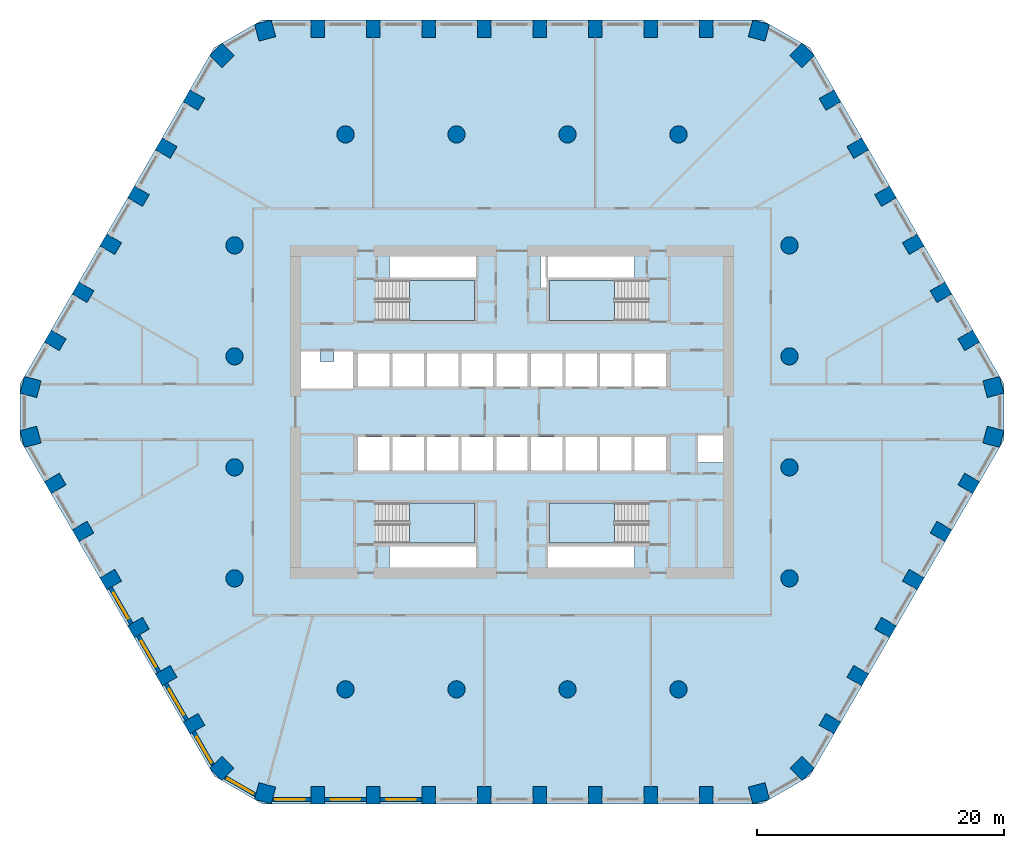
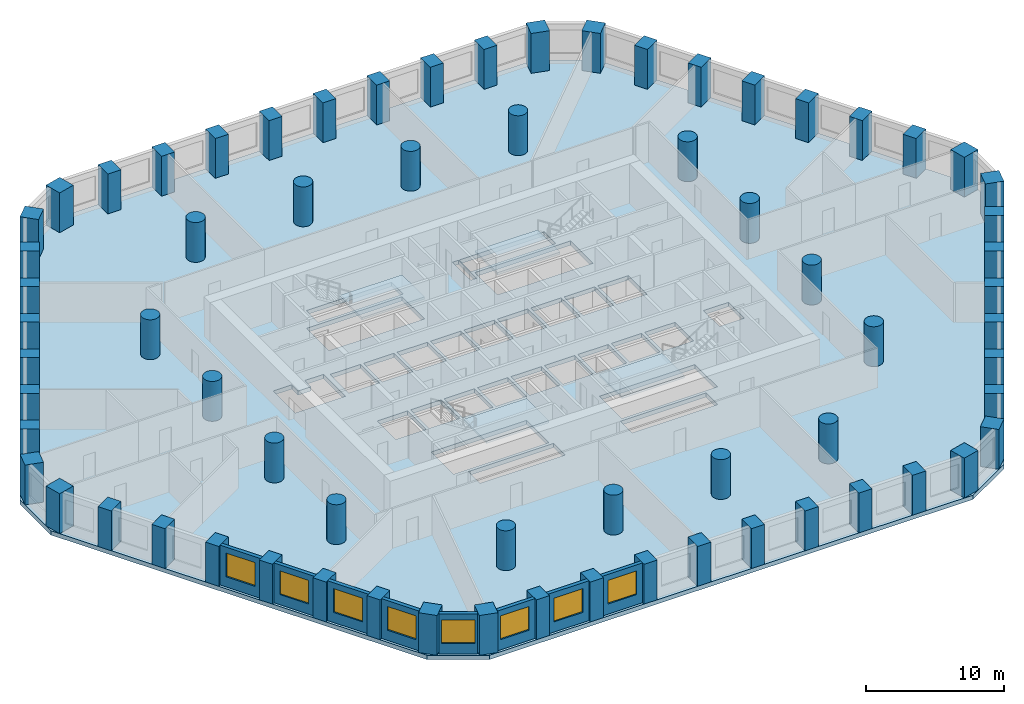
# One storey, part 1 of 10: 68 columns, 8 walls, 8 windows, 5 slabs, 8 openings, 4 elements without a shape of their own.
"""IFC4 building model written with IfcOpenShell, lengths in metres."""

from ifc_helpers import new_model, si_unit, direction, frame, frame_2d, origin, origin_2d, place, context, subcontext, project, spatial, polyline, rectangle, circle, outline, extrude, material, layer, layer_set, material_profile, profile_set, type_object, element, fill, aggregate, save


model = new_model("IFC4")

# Units and contexts
model_context = context("Model", 3, precision=1e-05, world=origin(), true_north=direction((0.0, 1.0)))
body_context = subcontext(model_context, "Body", "Model", "MODEL_VIEW")
ifc_project = project(units=[si_unit("LENGTHUNIT", "METRE"), si_unit("AREAUNIT", "SQUARE_METRE"), si_unit("VOLUMEUNIT", "CUBIC_METRE"), si_unit("PLANEANGLEUNIT", "RADIAN"), si_unit("MASSUNIT", "GRAM", prefix="KILO")], contexts=[model_context])

# Site, building, storey
site_placement = place(None, origin())
site = spatial("IfcSite", under=ifc_project, at=site_placement, CompositionType="ELEMENT")
building_placement = place(site_placement, origin())
building = spatial("IfcBuilding", under=site, at=building_placement, Name="Dhurran Vertical Campus", CompositionType="ELEMENT")
storey_placement = place(building_placement, frame((0.0, 0.0, 37.800048828125)))
storey = spatial("IfcBuildingStorey", under=building, at=storey_placement, Name="L08", CompositionType="ELEMENT", Elevation=37.800048828125)

# Columns
ifc_material_1 = material(Name="Concrete C70/85", Category="concrete")
ifc_material_profile_1 = material_profile(ifc_material_1, rectangle(XDim=1.10009765625, YDim=1.39990234375, at=origin_2d()), Name="RC 1100x1400")
ifc_profile_set_1 = profile_set([ifc_material_profile_1], Name="Concrete C70/85")
column_type_1 = type_object("IfcColumnType", Name="FR COL RC 1100x1400 C70/85", PredefinedType="COLUMN", material=ifc_profile_set_1)
for number, where, z_axis, x_axis, name in (
    (1, (-15.75, -31.079833984375, 0.0), (0.0, 0.0, 1.0), (1.0, 0.0, 0.0), "Perimeter pier PP1.01"),
    (2, (-11.25, -31.079833984375, 0.0), (0.0, 0.0, 1.0), (1.0, 0.0, 0.0), "Perimeter pier PP1.02"),
    (3, (-6.75, -31.079833984375, 0.0), (0.0, 0.0, 1.0), (1.0, 0.0, 0.0), "Perimeter pier PP1.03"),
    (4, (-2.25, -31.079833984375, 0.0), (0.0, 0.0, 1.0), (1.0, 0.0, 0.0), "Perimeter pier PP1.04"),
    (5, (2.25, -31.079833984375, 0.0), (0.0, 0.0, 1.0), (1.0, 0.0, 0.0), "Perimeter pier PP1.05"),
    (6, (6.75, -31.079833984375, 0.0), (0.0, 0.0, 1.0), (1.0, 0.0, 0.0), "Perimeter pier PP1.06"),
    (7, (11.25, -31.079833984375, 0.0), (0.0, 0.0, 1.0), (1.0, 0.0, 0.0), "Perimeter pier PP1.07"),
    (8, (15.75, -31.079833984375, 0.0), (0.0, 0.0, 1.0), (1.0, 0.0, 0.0), "Perimeter pier PP1.08"),
    (9, (25.791015625, -25.28271484375, 0.0), (0.0, 0.0, 1.0), (0.5, 0.866025403784, 0.0), "Perimeter pier PP1.11"),
    (10, (28.041015625, -21.385498046875, 0.0), (0.0, 0.0, 1.0), (0.5, 0.866025403784, 0.0), "Perimeter pier PP1.12"),
    (11, (30.291015625, -17.488525390625, 0.0), (0.0, 0.0, 1.0), (0.5, 0.866025403784, 0.0), "Perimeter pier PP1.13"),
    (12, (32.541015625, -13.59130859375, 0.0), (0.0, 0.0, 1.0), (0.5, 0.866025403784, 0.0), "Perimeter pier PP1.14"),
    (13, (34.791015625, -9.694091796875, 0.0), (0.0, 0.0, 1.0), (0.5, 0.866025403784, 0.0), "Perimeter pier PP1.15"),
    (14, (37.041015625, -5.797119140625, 0.0), (0.0, 0.0, 1.0), (0.5, 0.866025403784, 0.0), "Perimeter pier PP1.16"),
    (15, (37.041015625, 5.797119140625, 0.0), (0.0, 0.0, 1.0), (-0.5, 0.866025403784, 0.0), "Perimeter pier PP1.19"),
    (16, (34.791015625, 9.694091796875, 0.0), (0.0, 0.0, 1.0), (-0.5, 0.866025403784, 0.0), "Perimeter pier PP1.20"),
    (17, (32.541015625, 13.59130859375, 0.0), (0.0, 0.0, 1.0), (-0.5, 0.866025403784, 0.0), "Perimeter pier PP1.21"),
    (18, (30.291015625, 17.488525390625, 0.0), (0.0, 0.0, 1.0), (-0.5, 0.866025403784, 0.0), "Perimeter pier PP1.22"),
    (19, (28.041015625, 21.385498046875, 0.0), (0.0, 0.0, 1.0), (-0.5, 0.866025403784, 0.0), "Perimeter pier PP1.23"),
    (20, (25.791015625, 25.28271484375, 0.0), (0.0, 0.0, 1.0), (-0.5, 0.866025403784, 0.0), "Perimeter pier PP1.24"),
    (21, (15.75, 31.079833984375, 0.0), (0.0, 0.0, 1.0), (-1.0, 0.0, 0.0), "Perimeter pier PP1.27"),
    (22, (11.25, 31.079833984375, 0.0), (0.0, 0.0, 1.0), (-1.0, 0.0, 0.0), "Perimeter pier PP1.28"),
    (23, (6.75, 31.079833984375, 0.0), (0.0, 0.0, 1.0), (-1.0, 0.0, 0.0), "Perimeter pier PP1.29"),
    (24, (2.25, 31.079833984375, 0.0), (0.0, 0.0, 1.0), (-1.0, 0.0, 0.0), "Perimeter pier PP1.30"),
    (25, (-2.25, 31.079833984375, 0.0), (0.0, 0.0, 1.0), (-1.0, 0.0, 0.0), "Perimeter pier PP1.31"),
    (26, (-6.75, 31.079833984375, 0.0), (0.0, 0.0, 1.0), (-1.0, 0.0, 0.0), "Perimeter pier PP1.32"),
    (27, (-11.25, 31.079833984375, 0.0), (0.0, 0.0, 1.0), (-1.0, 0.0, 0.0), "Perimeter pier PP1.33"),
    (28, (-15.75, 31.079833984375, 0.0), (0.0, 0.0, 1.0), (-1.0, 0.0, 0.0), "Perimeter pier PP1.34"),
    (29, (-25.791015625, 25.28271484375, 0.0), (0.0, 0.0, 1.0), (-0.5, -0.866025403784, 0.0), "Perimeter pier PP1.37"),
    (30, (-28.041015625, 21.385498046875, 0.0), (0.0, 0.0, 1.0), (-0.5, -0.866025403784, 0.0), "Perimeter pier PP1.38"),
    (31, (-30.291015625, 17.488525390625, 0.0), (0.0, 0.0, 1.0), (-0.5, -0.866025403784, 0.0), "Perimeter pier PP1.39"),
    (32, (-32.541015625, 13.59130859375, 0.0), (0.0, 0.0, 1.0), (-0.5, -0.866025403784, 0.0), "Perimeter pier PP1.40"),
    (33, (-34.791015625, 9.694091796875, 0.0), (0.0, 0.0, 1.0), (-0.5, -0.866025403784, 0.0), "Perimeter pier PP1.41"),
    (34, (-37.041015625, 5.797119140625, 0.0), (0.0, 0.0, 1.0), (-0.5, -0.866025403784, 0.0), "Perimeter pier PP1.42"),
    (35, (-37.041015625, -5.797119140625, 0.0), (0.0, 0.0, 1.0), (0.5, -0.866025403784, 0.0), "Perimeter pier PP1.45"),
    (36, (-34.791015625, -9.694091796875, 0.0), (0.0, 0.0, 1.0), (0.5, -0.866025403784, 0.0), "Perimeter pier PP1.46"),
    (37, (-32.541015625, -13.59130859375, 0.0), (0.0, 0.0, 1.0), (0.5, -0.866025403784, 0.0), "Perimeter pier PP1.47"),
    (38, (-30.291015625, -17.488525390625, 0.0), (0.0, 0.0, 1.0), (0.5, -0.866025403784, 0.0), "Perimeter pier PP1.48"),
    (39, (-28.041015625, -21.385498046875, 0.0), (0.0, 0.0, 1.0), (0.5, -0.866025403784, 0.0), "Perimeter pier PP1.49"),
    (40, (-25.791015625, -25.28271484375, 0.0), (0.0, 0.0, 1.0), (0.5, -0.866025403784, 0.0), "Perimeter pier PP1.50"),
):
    element("IfcColumn", number, at=place(storey_placement, frame(where, z_axis=z_axis, x_axis=x_axis)), inside=storey, type_object=column_type_1, Name=name, PredefinedType="COLUMN", context=body_context, shape_type="SweptSolid", body=[
        extrude(rectangle(XDim=1.10009765625, YDim=1.39990234375, at=origin_2d()), origin(), (0.0, 0.0, 1.0), 3.52490234375),
    ])
ifc_material_2 = material(Name="Concrete C70/85", Category="concrete")
ifc_material_profile_2 = material_profile(ifc_material_2, rectangle(XDim=1.39990234375, YDim=1.39990234375, at=origin_2d()), Name="RC 1400x1400")
ifc_profile_set_2 = profile_set([ifc_material_profile_2], Name="Concrete C70/85")
column_type_2 = type_object("IfcColumnType", Name="FR COL RC 1400x1400 C70/85", PredefinedType="COLUMN", material=ifc_profile_set_2)
for number, where, z_axis, x_axis, name in (
    (41, (-20.020263671875, -30.922607421875, 0.0), (0.0, 0.0, 1.0), (0.965925826289, -0.258819045103, 0.0), "Perimeter pier PP1.00"),
    (42, (20.020263671875, -30.922607421875, 0.0), (0.0, 0.0, 1.0), (0.965925826289, 0.258819045103, 0.0), "Perimeter pier PP1.09"),
    (43, (23.51953125, -28.902099609375, 0.0), (0.0, 0.0, 1.0), (0.707106781187, 0.707106781187, 0.0), "Perimeter pier PP1.10"),
    (44, (39.039794921875, -2.020263671875, 0.0), (0.0, 0.0, 1.0), (0.258819045103, 0.965925826289, 0.0), "Perimeter pier PP1.17"),
    (45, (39.039794921875, 2.020263671875, 0.0), (0.0, 0.0, 1.0), (-0.258819045103, 0.965925826289, 0.0), "Perimeter pier PP1.18"),
    (46, (23.51953125, 28.902099609375, 0.0), (0.0, 0.0, 1.0), (-0.707106781187, 0.707106781187, 0.0), "Perimeter pier PP1.25"),
    (47, (20.020263671875, 30.922607421875, 0.0), (0.0, 0.0, 1.0), (-0.965925826289, 0.258819045103, 0.0), "Perimeter pier PP1.26"),
    (48, (-20.020263671875, 30.922607421875, 0.0), (0.0, 0.0, 1.0), (-0.965925826289, -0.258819045103, 0.0), "Perimeter pier PP1.35"),
    (49, (-23.51953125, 28.902099609375, 0.0), (0.0, 0.0, 1.0), (-0.707106781187, -0.707106781187, 0.0), "Perimeter pier PP1.36"),
    (50, (-39.039794921875, 2.020263671875, 0.0), (0.0, 0.0, 1.0), (-0.258819045103, -0.965925826289, 0.0), "Perimeter pier PP1.43"),
    (51, (-39.039794921875, -2.020263671875, 0.0), (0.0, 0.0, 1.0), (0.258819045103, -0.965925826289, 0.0), "Perimeter pier PP1.44"),
    (52, (-23.51953125, -28.902099609375, 0.0), (0.0, 0.0, 1.0), (0.707106781187, -0.707106781187, 0.0), "Perimeter pier PP1.51"),
):
    element("IfcColumn", number, at=place(storey_placement, frame(where, z_axis=z_axis, x_axis=x_axis)), inside=storey, type_object=column_type_2, Name=name, PredefinedType="COLUMN", context=body_context, shape_type="SweptSolid", body=[
        extrude(rectangle(XDim=1.39990234375, YDim=1.39990234375, at=origin_2d()), origin(), (0.0, 0.0, 1.0), 3.52490234375),
    ])
ifc_material_3 = material(Name="Concrete C70/85", Category="concrete")
ifc_material_profile_3 = material_profile(ifc_material_3, circle(Radius=0.699951171875, at=origin_2d()), Name="RCC D1400")
ifc_profile_set_3 = profile_set([ifc_material_profile_3], Name="Concrete C70/85")
column_type_3 = type_object("IfcColumnType", Name="FR COL RCC D1400 C70/85", PredefinedType="COLUMN", material=ifc_profile_set_3)
for number, where, z_axis, x_axis, name in (
    (53, (-22.5, -13.5, 0.0), (0.0, 0.0, 1.0), (1.0, 0.0, 0.0), "Inner column IC1-D4"),
    (54, (-22.5, -4.5, 0.0), (0.0, 0.0, 1.0), (1.0, 0.0, 0.0), "Inner column IC1-D5"),
    (55, (-22.5, 4.5, 0.0), (0.0, 0.0, 1.0), (1.0, 0.0, 0.0), "Inner column IC1-D6"),
    (56, (-22.5, 13.5, 0.0), (0.0, 0.0, 1.0), (1.0, 0.0, 0.0), "Inner column IC1-D7"),
    (57, (-13.5, -22.5, 0.0), (0.0, 0.0, 1.0), (1.0, 0.0, 0.0), "Inner column IC1-E3"),
    (58, (-13.5, 22.5, 0.0), (0.0, 0.0, 1.0), (1.0, 0.0, 0.0), "Inner column IC1-E8"),
    (59, (-4.5, -22.5, 0.0), (0.0, 0.0, 1.0), (1.0, 0.0, 0.0), "Inner column IC1-F3"),
    (60, (-4.5, 22.5, 0.0), (0.0, 0.0, 1.0), (1.0, 0.0, 0.0), "Inner column IC1-F8"),
    (61, (4.5, -22.5, 0.0), (0.0, 0.0, 1.0), (1.0, 0.0, 0.0), "Inner column IC1-G3"),
    (62, (4.5, 22.5, 0.0), (0.0, 0.0, 1.0), (1.0, 0.0, 0.0), "Inner column IC1-G8"),
    (63, (13.5, -22.5, 0.0), (0.0, 0.0, 1.0), (1.0, 0.0, 0.0), "Inner column IC1-H3"),
    (64, (13.5, 22.5, 0.0), (0.0, 0.0, 1.0), (1.0, 0.0, 0.0), "Inner column IC1-H8"),
    (65, (22.5, -13.5, 0.0), (0.0, 0.0, 1.0), (1.0, 0.0, 0.0), "Inner column IC1-J4"),
    (66, (22.5, -4.5, 0.0), (0.0, 0.0, 1.0), (1.0, 0.0, 0.0), "Inner column IC1-J5"),
    (67, (22.5, 4.5, 0.0), (0.0, 0.0, 1.0), (1.0, 0.0, 0.0), "Inner column IC1-J6"),
    (68, (22.5, 13.5, 0.0), (0.0, 0.0, 1.0), (1.0, 0.0, 0.0), "Inner column IC1-J7"),
):
    element("IfcColumn", number, at=place(storey_placement, frame(where, z_axis=z_axis, x_axis=x_axis)), inside=storey, type_object=column_type_3, Name=name, PredefinedType="COLUMN", context=body_context, shape_type="SweptSolid", body=[
        extrude(circle(Radius=0.699951171875, at=origin_2d()), origin(), (0.0, 0.0, 1.0), 3.52490234375),
    ])

# Slab
ifc_material_4 = material(Name="Concrete C40/50", Category="concrete")
ifc_layer_1 = layer(ifc_material_4, 0.375)
ifc_layer_set_1 = layer_set([ifc_layer_1], Name="Concrete C40/50")
slab_type_1 = type_object("IfcSlabType", Name="FR POST-TENSIONED FLAT SLAB 375", PredefinedType="FLOOR", material=ifc_layer_set_1)
slab_1_placement = place(storey_placement, frame((0.0, 0.0, -0.375)))
element("IfcSlab", 69, at=slab_1_placement, inside=storey, type_object=slab_type_1, Name="Floor slab L08", PredefinedType="FLOOR", context=body_context, shape_type="SweptSolid", body=[
    extrude(outline(polyline([(-20.25, -31.77978515625), (20.25, -31.77978515625), (24.147216796875, -29.52978515625), (39.897216796875, -2.25), (39.897216796875, 2.25), (24.147216796875, 29.52978515625), (20.25, 31.77978515625), (-20.25, 31.77978515625), (-24.147216796875, 29.52978515625), (-39.897216796875, 2.25), (-39.897216796875, -2.25), (-24.147216796875, -29.52978515625), (-20.25, -31.77978515625)]), holes=[polyline([(-12.47509765625, 2.050048828125), (-9.925048828125, 2.050048828125), (-9.925048828125, 4.75), (-12.47509765625, 4.75), (-12.47509765625, 2.050048828125)]), polyline([(-9.675048828125, 2.050048828125), (-7.125, 2.050048828125), (-7.125, 4.75), (-9.675048828125, 4.75), (-9.675048828125, 2.050048828125)]), polyline([(-6.875, 2.050048828125), (-4.324951171875, 2.050048828125), (-4.324951171875, 4.75), (-6.875, 4.75), (-6.875, 2.050048828125)]), polyline([(-1.27490234375, 2.050048828125), (1.27490234375, 2.050048828125), (1.27490234375, 4.75), (-1.27490234375, 4.75), (-1.27490234375, 2.050048828125)]), polyline([(9.925048828125, 2.050048828125), (12.47509765625, 2.050048828125), (12.47509765625, 4.75), (9.925048828125, 4.75), (9.925048828125, 2.050048828125)]), polyline([(-1.27490234375, -4.75), (1.27490234375, -4.75), (1.27490234375, -2.050048828125), (-1.27490234375, -2.050048828125), (-1.27490234375, -4.75)]), polyline([(1.52490234375, -4.75), (4.074951171875, -4.75), (4.074951171875, -2.050048828125), (1.52490234375, -2.050048828125), (1.52490234375, -4.75)]), polyline([(4.324951171875, -4.75), (6.875, -4.75), (6.875, -2.050048828125), (4.324951171875, -2.050048828125), (4.324951171875, -4.75)]), polyline([(7.125, -4.75), (9.675048828125, -4.75), (9.675048828125, -2.050048828125), (7.125, -2.050048828125), (7.125, -4.75)]), polyline([(9.925048828125, -4.75), (12.47509765625, -4.75), (12.47509765625, -2.050048828125), (9.925048828125, -2.050048828125), (9.925048828125, -4.75)]), polyline([(-4.074951171875, 2.050048828125), (-1.52490234375, 2.050048828125), (-1.52490234375, 4.75), (-4.074951171875, 4.75), (-4.074951171875, 2.050048828125)]), polyline([(1.52490234375, 2.050048828125), (4.074951171875, 2.050048828125), (4.074951171875, 4.75), (1.52490234375, 4.75), (1.52490234375, 2.050048828125)]), polyline([(4.324951171875, 2.050048828125), (6.875, 2.050048828125), (6.875, 4.75), (4.324951171875, 4.75), (4.324951171875, 2.050048828125)]), polyline([(7.125, 2.050048828125), (9.675048828125, 2.050048828125), (9.675048828125, 4.75), (7.125, 4.75), (7.125, 2.050048828125)]), polyline([(-12.47509765625, -4.75), (-9.925048828125, -4.75), (-9.925048828125, -2.050048828125), (-12.47509765625, -2.050048828125), (-12.47509765625, -4.75)]), polyline([(-9.675048828125, -4.75), (-7.125, -4.75), (-7.125, -2.050048828125), (-9.675048828125, -2.050048828125), (-9.675048828125, -4.75)]), polyline([(-6.875, -4.75), (-4.324951171875, -4.75), (-4.324951171875, -2.050048828125), (-6.875, -2.050048828125), (-6.875, -4.75)]), polyline([(-4.074951171875, -4.75), (-1.52490234375, -4.75), (-1.52490234375, -2.050048828125), (-4.074951171875, -2.050048828125), (-4.074951171875, -4.75)]), polyline([(-11.050048828125, 7.39990234375), (-3.050048828125, 7.39990234375), (-3.050048828125, 10.64990234375), (-11.050048828125, 10.64990234375), (-11.050048828125, 7.39990234375)]), polyline([(3.050048828125, 7.39990234375), (11.050048828125, 7.39990234375), (11.050048828125, 10.64990234375), (3.050048828125, 10.64990234375), (3.050048828125, 7.39990234375)]), polyline([(-11.050048828125, -10.64990234375), (-3.050048828125, -10.64990234375), (-3.050048828125, -7.39990234375), (-11.050048828125, -7.39990234375), (-11.050048828125, -10.64990234375)]), polyline([(3.050048828125, -10.64990234375), (11.050048828125, -10.64990234375), (11.050048828125, -7.39990234375), (3.050048828125, -7.39990234375), (3.050048828125, -10.64990234375)]), polyline([(2.300048828125, 9.97509765625), (2.300048828125, 12.60009765625), (2.800048828125, 12.60009765625), (2.800048828125, 9.97509765625), (2.300048828125, 9.97509765625)]), polyline([(-9.949951171875, 10.89990234375), (-9.949951171875, 12.60009765625), (-2.800048828125, 12.60009765625), (-2.800048828125, 10.89990234375), (-9.949951171875, 10.89990234375)]), polyline([(9.949951171875, 12.60009765625), (9.949951171875, 10.89990234375), (2.85009765625, 10.89990234375), (2.85009765625, 12.60009765625), (9.949951171875, 12.60009765625)]), polyline([(-9.949951171875, -12.60009765625), (-9.949951171875, -10.89990234375), (-2.800048828125, -10.89990234375), (-2.800048828125, -12.60009765625), (-9.949951171875, -12.60009765625)]), polyline([(9.949951171875, -10.89990234375), (9.949951171875, -12.60009765625), (2.800048828125, -12.60009765625), (2.800048828125, -10.89990234375), (9.949951171875, -10.89990234375)]), polyline([(17.10009765625, -4.10009765625), (15.0, -4.10009765625), (15.0, -1.800048828125), (17.10009765625, -1.800048828125), (17.10009765625, -4.10009765625)]), polyline([(-17.10009765625, 1.800048828125), (-17.10009765625, 5.0), (-15.550048828125, 5.0), (-15.550048828125, 4.10009765625), (-14.449951171875, 4.10009765625), (-14.449951171875, 5.0), (-12.89990234375, 5.0), (-12.89990234375, 1.800048828125), (-17.10009765625, 1.800048828125)])]), origin(), (0.0, 0.0, 1.0), 0.375),
])

# Stair, slab
ifc_material_5 = material(Name="Concrete C40/50", Category="concrete")
stair_type = type_object("IfcStairType", Name="co-ST-CORE", PredefinedType="HALF_TURN_STAIR", material=ifc_material_5)
stair_1_placement = place(storey_placement, origin())
stair_1 = element("IfcStair", 70, at=stair_1_placement, inside=storey, type_object=stair_type, Name="L08 Protected exit stair ST1", PredefinedType="HALF_TURN_STAIR")
ifc_material_6 = material(Name="Concrete C40/50", Category="concrete")
ifc_layer_2 = layer(ifc_material_6, 0.199951171875)
ifc_layer_set_2 = layer_set([ifc_layer_2], Name="Concrete C40/50")
slab_type_2 = type_object("IfcSlabType", Name="co-SL-LANDING", PredefinedType="LANDING", material=ifc_layer_set_2)
slab_2_placement = place(storey_placement, frame((0.0, 0.0, 1.75)))
slab_2 = element("IfcSlab", 71, at=slab_2_placement, type_object=slab_type_2, Name="ST1 landing 1", PredefinedType="LANDING", context=body_context, shape_type="SweptSolid", body=[
    extrude(outline(polyline([(-8.300048828125, 7.39990234375), (-3.050048828125, 7.39990234375), (-3.050048828125, 10.64990234375), (-8.300048828125, 10.64990234375), (-8.300048828125, 7.39990234375)])), origin(), (0.0, 0.0, 1.0), 0.199951171875),
])
aggregate(stair_1, [slab_2])

stair_2_placement = place(storey_placement, origin())
stair_2 = element("IfcStair", 72, at=stair_2_placement, inside=storey, type_object=stair_type, Name="L08 Protected exit stair ST2", PredefinedType="HALF_TURN_STAIR")
slab_3_placement = place(storey_placement, frame((0.0, 0.0, 1.75)))
slab_3 = element("IfcSlab", 73, at=slab_3_placement, type_object=slab_type_2, Name="ST2 landing 1", PredefinedType="LANDING", context=body_context, shape_type="SweptSolid", body=[
    extrude(outline(polyline([(8.300048828125, 10.64990234375), (3.050048828125, 10.64990234375), (3.050048828125, 7.39990234375), (8.300048828125, 7.39990234375), (8.300048828125, 10.64990234375)])), origin(), (0.0, 0.0, 1.0), 0.199951171875),
])
aggregate(stair_2, [slab_3])

stair_3_placement = place(storey_placement, origin())
stair_3 = element("IfcStair", 74, at=stair_3_placement, inside=storey, type_object=stair_type, Name="L08 Protected exit stair ST3", PredefinedType="HALF_TURN_STAIR")
slab_4_placement = place(storey_placement, frame((0.0, 0.0, 1.75)))
slab_4 = element("IfcSlab", 75, at=slab_4_placement, type_object=slab_type_2, Name="ST3 landing 1", PredefinedType="LANDING", context=body_context, shape_type="SweptSolid", body=[
    extrude(outline(polyline([(-8.300048828125, -10.64990234375), (-3.050048828125, -10.64990234375), (-3.050048828125, -7.39990234375), (-8.300048828125, -7.39990234375), (-8.300048828125, -10.64990234375)])), origin(), (0.0, 0.0, 1.0), 0.199951171875),
])
aggregate(stair_3, [slab_4])

stair_4_placement = place(storey_placement, origin())
stair_4 = element("IfcStair", 76, at=stair_4_placement, inside=storey, type_object=stair_type, Name="L08 Protected exit stair ST4", PredefinedType="HALF_TURN_STAIR")
slab_5_placement = place(storey_placement, frame((0.0, 0.0, 1.75)))
slab_5 = element("IfcSlab", 77, at=slab_5_placement, type_object=slab_type_2, Name="ST4 landing 1", PredefinedType="LANDING", context=body_context, shape_type="SweptSolid", body=[
    extrude(outline(polyline([(8.300048828125, -7.39990234375), (3.050048828125, -7.39990234375), (3.050048828125, -10.64990234375), (8.300048828125, -10.64990234375), (8.300048828125, -7.39990234375)])), origin(), (0.0, 0.0, 1.0), 0.199951171875),
])
aggregate(stair_4, [slab_5])

# Wall, opening, window
ifc_material_7 = material(Name="Precast concrete C50/60", Category="concrete")
ifc_layer_3 = layer(ifc_material_7, 0.300048828125)
ifc_layer_set_3 = layer_set([ifc_layer_3], Name="Precast concrete C50/60")
wall_type = type_object("IfcWallType", Name="Precast spandrel wall 300", PredefinedType="SOLIDWALL", material=ifc_layer_set_3)
wall_1_placement = place(storey_placement, frame((-19.39111328125, -31.4296875, 0.0), z_axis=(0.0, 0.0, 1.0), x_axis=(1.0, 0.0, 0.0)))
wall_1 = element("IfcWall", 78, at=wall_1_placement, inside=storey, type_object=wall_type, Name="EW1 L08.00", PredefinedType="SOLIDWALL", context=body_context, shape_type="SweptSolid", body=[
    extrude(rectangle(XDim=3.090576171875, YDim=0.300048828125, at=frame_2d((1.54541015625, 0.0))), origin(), (0.0, 0.0, 1.0), 3.52490234375),
])
opening_1_placement = place(wall_1_placement, frame((0.191162109375, 0.0, 0.89990234375)))
opening_1 = element("IfcOpeningElement", 79, at=opening_1_placement, cuts=wall_1, Name="Opening WT1", PredefinedType="OPENING", context=body_context, shape_type="SweptSolid", body=[
    extrude(rectangle(XDim=2.39990234375, YDim=2.10009765625, at=frame_2d((1.199951171875, 1.050048828125))), frame((0.0, 0.159912109375, 0.0), z_axis=(0.0, -1.0, 0.0), x_axis=(1.0, 0.0, 0.0)), (0.0, 0.0, 1.0), 0.320068359375),
])
ifc_material_8 = material(Name="Aluminium frame with solar-control glass", Category="aluminium")
window_type = type_object("IfcWindowType", Name="Punched window 2400 x 2100", PartitioningType="SINGLE_PANEL", PredefinedType="WINDOW", material=ifc_material_8)
window_1_placement = place(opening_1_placement, origin())
window_1 = element("IfcWindow", 80, at=window_1_placement, inside=storey, type_object=window_type, Name="WT1 L08.00", OverallHeight=2.10009765625, OverallWidth=2.39990234375, PartitioningType="SINGLE_PANEL", PredefinedType="WINDOW", context=body_context, shape_type="SweptSolid", body=[
    extrude(rectangle(XDim=2.39990234375, YDim=2.10009765625, at=frame_2d((1.199951171875, 1.050048828125))), frame((0.0, 0.030029296875, 0.0), z_axis=(0.0, -1.0, 0.0), x_axis=(1.0, 0.0, 0.0)), (0.0, 0.0, 1.0), 0.06005859375),
])
fill(opening_1, window_1)

wall_2_placement = place(storey_placement, frame((-15.199462890625, -31.4296875, 0.0), z_axis=(0.0, 0.0, 1.0), x_axis=(1.0, 0.0, 0.0)))
wall_2 = element("IfcWall", 81, at=wall_2_placement, inside=storey, type_object=wall_type, Name="EW1 L08.01", PredefinedType="SOLIDWALL", context=body_context, shape_type="SweptSolid", body=[
    extrude(rectangle(XDim=3.39892578125, YDim=0.300048828125, at=frame_2d((1.699462890625, 0.0))), origin(), (0.0, 0.0, 1.0), 3.52490234375),
])
opening_2_placement = place(wall_2_placement, frame((0.49951171875, 0.0, 0.89990234375)))
opening_2 = element("IfcOpeningElement", 82, at=opening_2_placement, cuts=wall_2, Name="Opening WT1", PredefinedType="OPENING", context=body_context, shape_type="SweptSolid", body=[
    extrude(rectangle(XDim=2.39990234375, YDim=2.10009765625, at=frame_2d((1.199951171875, 1.050048828125))), frame((0.0, 0.159912109375, 0.0), z_axis=(0.0, -1.0, 0.0), x_axis=(1.0, 0.0, 0.0)), (0.0, 0.0, 1.0), 0.320068359375),
])
window_2_placement = place(opening_2_placement, origin())
window_2 = element("IfcWindow", 83, at=window_2_placement, inside=storey, type_object=window_type, Name="WT1 L08.01", OverallHeight=2.10009765625, OverallWidth=2.39990234375, PartitioningType="SINGLE_PANEL", PredefinedType="WINDOW", context=body_context, shape_type="SweptSolid", body=[
    extrude(rectangle(XDim=2.39990234375, YDim=2.10009765625, at=frame_2d((1.199951171875, 1.050048828125))), frame((0.0, 0.030029296875, 0.0), z_axis=(0.0, -1.0, 0.0), x_axis=(1.0, 0.0, 0.0)), (0.0, 0.0, 1.0), 0.06005859375),
])
fill(opening_2, window_2)

wall_3_placement = place(storey_placement, frame((-10.699462890625, -31.4296875, 0.0), z_axis=(0.0, 0.0, 1.0), x_axis=(1.0, 0.0, 0.0)))
wall_3 = element("IfcWall", 84, at=wall_3_placement, inside=storey, type_object=wall_type, Name="EW1 L08.02", PredefinedType="SOLIDWALL", context=body_context, shape_type="SweptSolid", body=[
    extrude(rectangle(XDim=3.39892578125, YDim=0.300048828125, at=frame_2d((1.699462890625, 0.0))), origin(), (0.0, 0.0, 1.0), 3.52490234375),
])
opening_3_placement = place(wall_3_placement, frame((0.49951171875, 0.0, 0.89990234375)))
opening_3 = element("IfcOpeningElement", 85, at=opening_3_placement, cuts=wall_3, Name="Opening WT1", PredefinedType="OPENING", context=body_context, shape_type="SweptSolid", body=[
    extrude(rectangle(XDim=2.39990234375, YDim=2.10009765625, at=frame_2d((1.199951171875, 1.050048828125))), frame((0.0, 0.159912109375, 0.0), z_axis=(0.0, -1.0, 0.0), x_axis=(1.0, 0.0, 0.0)), (0.0, 0.0, 1.0), 0.320068359375),
])
window_3_placement = place(opening_3_placement, origin())
window_3 = element("IfcWindow", 86, at=window_3_placement, inside=storey, type_object=window_type, Name="WT1 L08.02", OverallHeight=2.10009765625, OverallWidth=2.39990234375, PartitioningType="SINGLE_PANEL", PredefinedType="WINDOW", context=body_context, shape_type="SweptSolid", body=[
    extrude(rectangle(XDim=2.39990234375, YDim=2.10009765625, at=frame_2d((1.199951171875, 1.050048828125))), frame((0.0, 0.030029296875, 0.0), z_axis=(0.0, -1.0, 0.0), x_axis=(1.0, 0.0, 0.0)), (0.0, 0.0, 1.0), 0.06005859375),
])
fill(opening_3, window_3)

wall_4_placement = place(storey_placement, frame((-32.56884765625, -14.2431640625, 0.0), z_axis=(0.0, 0.0, 1.0), x_axis=(0.499993955907, -0.866028893315, 0.0)))
wall_4 = element("IfcWall", 87, at=wall_4_placement, inside=storey, type_object=wall_type, Name="EW1 L08.47", PredefinedType="SOLIDWALL", context=body_context, shape_type="SweptSolid", body=[
    extrude(rectangle(XDim=3.39892578125, YDim=0.300048828125, at=frame_2d((1.699462890625, 0.0))), origin(), (0.0, 0.0, 1.0), 3.52490234375),
])
opening_4_placement = place(wall_4_placement, frame((0.49951171875, 0.0, 0.89990234375)))
opening_4 = element("IfcOpeningElement", 88, at=opening_4_placement, cuts=wall_4, Name="Opening WT1", PredefinedType="OPENING", context=body_context, shape_type="SweptSolid", body=[
    extrude(rectangle(XDim=2.39990234375, YDim=2.10009765625, at=frame_2d((1.199951171875, 1.050048828125))), frame((0.0, 0.159912109375, 0.0), z_axis=(0.0, -1.0, 0.0), x_axis=(1.0, 0.0, 0.0)), (0.0, 0.0, 1.0), 0.320068359375),
])
window_4_placement = place(opening_4_placement, origin())
window_4 = element("IfcWindow", 89, at=window_4_placement, inside=storey, type_object=window_type, Name="WT1 L08.47", OverallHeight=2.10009765625, OverallWidth=2.39990234375, PartitioningType="SINGLE_PANEL", PredefinedType="WINDOW", context=body_context, shape_type="SweptSolid", body=[
    extrude(rectangle(XDim=2.39990234375, YDim=2.10009765625, at=frame_2d((1.199951171875, 1.050048828125))), frame((0.0, 0.030029296875, 0.0), z_axis=(0.0, -1.0, 0.0), x_axis=(1.0, 0.0, 0.0)), (0.0, 0.0, 1.0), 0.06005859375),
])
fill(opening_4, window_4)

wall_5_placement = place(storey_placement, frame((-30.31884765625, -18.14013671875, 0.0), z_axis=(0.0, 0.0, 1.0), x_axis=(0.499993955907, -0.866028893315, 0.0)))
wall_5 = element("IfcWall", 90, at=wall_5_placement, inside=storey, type_object=wall_type, Name="EW1 L08.48", PredefinedType="SOLIDWALL", context=body_context, shape_type="SweptSolid", body=[
    extrude(rectangle(XDim=3.39892578125, YDim=0.300048828125, at=frame_2d((1.699462890625, 0.0))), origin(), (0.0, 0.0, 1.0), 3.52490234375),
])
opening_5_placement = place(wall_5_placement, frame((0.49951171875, 0.0, 0.89990234375)))
opening_5 = element("IfcOpeningElement", 91, at=opening_5_placement, cuts=wall_5, Name="Opening WT1", PredefinedType="OPENING", context=body_context, shape_type="SweptSolid", body=[
    extrude(rectangle(XDim=2.39990234375, YDim=2.10009765625, at=frame_2d((1.199951171875, 1.050048828125))), frame((0.0, 0.159912109375, 0.0), z_axis=(0.0, -1.0, 0.0), x_axis=(1.0, 0.0, 0.0)), (0.0, 0.0, 1.0), 0.320068359375),
])
window_5_placement = place(opening_5_placement, origin())
window_5 = element("IfcWindow", 92, at=window_5_placement, inside=storey, type_object=window_type, Name="WT1 L08.48", OverallHeight=2.10009765625, OverallWidth=2.39990234375, PartitioningType="SINGLE_PANEL", PredefinedType="WINDOW", context=body_context, shape_type="SweptSolid", body=[
    extrude(rectangle(XDim=2.39990234375, YDim=2.10009765625, at=frame_2d((1.199951171875, 1.050048828125))), frame((0.0, 0.030029296875, 0.0), z_axis=(0.0, -1.0, 0.0), x_axis=(1.0, 0.0, 0.0)), (0.0, 0.0, 1.0), 0.06005859375),
])
fill(opening_5, window_5)

wall_6_placement = place(storey_placement, frame((-28.06884765625, -22.037353515625, 0.0), z_axis=(0.0, 0.0, 1.0), x_axis=(0.499993955907, -0.866028893315, 0.0)))
wall_6 = element("IfcWall", 93, at=wall_6_placement, inside=storey, type_object=wall_type, Name="EW1 L08.49", PredefinedType="SOLIDWALL", context=body_context, shape_type="SweptSolid", body=[
    extrude(rectangle(XDim=3.39892578125, YDim=0.300048828125, at=frame_2d((1.699462890625, 0.0))), origin(), (0.0, 0.0, 1.0), 3.52490234375),
])
opening_6_placement = place(wall_6_placement, frame((0.49951171875, 0.0, 0.89990234375)))
opening_6 = element("IfcOpeningElement", 94, at=opening_6_placement, cuts=wall_6, Name="Opening WT1", PredefinedType="OPENING", context=body_context, shape_type="SweptSolid", body=[
    extrude(rectangle(XDim=2.39990234375, YDim=2.10009765625, at=frame_2d((1.199951171875, 1.050048828125))), frame((0.0, 0.159912109375, 0.0), z_axis=(0.0, -1.0, 0.0), x_axis=(1.0, 0.0, 0.0)), (0.0, 0.0, 1.0), 0.320068359375),
])
window_6_placement = place(opening_6_placement, origin())
window_6 = element("IfcWindow", 95, at=window_6_placement, inside=storey, type_object=window_type, Name="WT1 L08.49", OverallHeight=2.10009765625, OverallWidth=2.39990234375, PartitioningType="SINGLE_PANEL", PredefinedType="WINDOW", context=body_context, shape_type="SweptSolid", body=[
    extrude(rectangle(XDim=2.39990234375, YDim=2.10009765625, at=frame_2d((1.199951171875, 1.050048828125))), frame((0.0, 0.030029296875, 0.0), z_axis=(0.0, -1.0, 0.0), x_axis=(1.0, 0.0, 0.0)), (0.0, 0.0, 1.0), 0.06005859375),
])
fill(opening_6, window_6)

wall_7_placement = place(storey_placement, frame((-25.81884765625, -25.934326171875, 0.0), z_axis=(0.0, 0.0, 1.0), x_axis=(0.499995950774, -0.866027741594, 0.0)))
wall_7 = element("IfcWall", 96, at=wall_7_placement, inside=storey, type_object=wall_type, Name="EW1 L08.50", PredefinedType="SOLIDWALL", context=body_context, shape_type="SweptSolid", body=[
    extrude(rectangle(XDim=3.0908203125, YDim=0.300048828125, at=frame_2d((1.54541015625, 0.0))), origin(), (0.0, 0.0, 1.0), 3.52490234375),
])
opening_7_placement = place(wall_7_placement, frame((0.49951171875, 0.0, 0.89990234375)))
opening_7 = element("IfcOpeningElement", 97, at=opening_7_placement, cuts=wall_7, Name="Opening WT1", PredefinedType="OPENING", context=body_context, shape_type="SweptSolid", body=[
    extrude(rectangle(XDim=2.39990234375, YDim=2.10009765625, at=frame_2d((1.199951171875, 1.050048828125))), frame((0.0, 0.159912109375, 0.0), z_axis=(0.0, -1.0, 0.0), x_axis=(1.0, 0.0, 0.0)), (0.0, 0.0, 1.0), 0.320068359375),
])
window_7_placement = place(opening_7_placement, origin())
window_7 = element("IfcWindow", 98, at=window_7_placement, inside=storey, type_object=window_type, Name="WT1 L08.50", OverallHeight=2.10009765625, OverallWidth=2.39990234375, PartitioningType="SINGLE_PANEL", PredefinedType="WINDOW", context=body_context, shape_type="SweptSolid", body=[
    extrude(rectangle(XDim=2.39990234375, YDim=2.10009765625, at=frame_2d((1.199951171875, 1.050048828125))), frame((0.0, 0.030029296875, 0.0), z_axis=(0.0, -1.0, 0.0), x_axis=(1.0, 0.0, 0.0)), (0.0, 0.0, 1.0), 0.06005859375),
])
fill(opening_7, window_7)

wall_8_placement = place(storey_placement, frame((-23.228271484375, -29.656005859375, 0.0), z_axis=(0.0, 0.0, 1.0), x_axis=(0.866020456713, -0.500008568482, 0.0)))
wall_8 = element("IfcWall", 99, at=wall_8_placement, inside=storey, type_object=wall_type, Name="EW1 L08.51", PredefinedType="SOLIDWALL", context=body_context, shape_type="SweptSolid", body=[
    extrude(rectangle(XDim=2.7822265625, YDim=0.300048828125, at=frame_2d((1.39111328125, 0.0))), origin(), (0.0, 0.0, 1.0), 3.52490234375),
])
opening_8_placement = place(wall_8_placement, frame((0.191162109375, 0.0, 0.89990234375)))
opening_8 = element("IfcOpeningElement", 100, at=opening_8_placement, cuts=wall_8, Name="Opening WT1", PredefinedType="OPENING", context=body_context, shape_type="SweptSolid", body=[
    extrude(rectangle(XDim=2.39990234375, YDim=2.10009765625, at=frame_2d((1.199951171875, 1.050048828125))), frame((0.0, 0.159912109375, 0.0), z_axis=(0.0, -1.0, 0.0), x_axis=(1.0, 0.0, 0.0)), (0.0, 0.0, 1.0), 0.320068359375),
])
window_8_placement = place(opening_8_placement, origin())
window_8 = element("IfcWindow", 101, at=window_8_placement, inside=storey, type_object=window_type, Name="WT1 L08.51", OverallHeight=2.10009765625, OverallWidth=2.39990234375, PartitioningType="SINGLE_PANEL", PredefinedType="WINDOW", context=body_context, shape_type="SweptSolid", body=[
    extrude(rectangle(XDim=2.39990234375, YDim=2.10009765625, at=frame_2d((1.199951171875, 1.050048828125))), frame((0.0, 0.030029296875, 0.0), z_axis=(0.0, -1.0, 0.0), x_axis=(1.0, 0.0, 0.0)), (0.0, 0.0, 1.0), 0.06005859375),
])
fill(opening_8, window_8)

save(model, "model.ifc")
